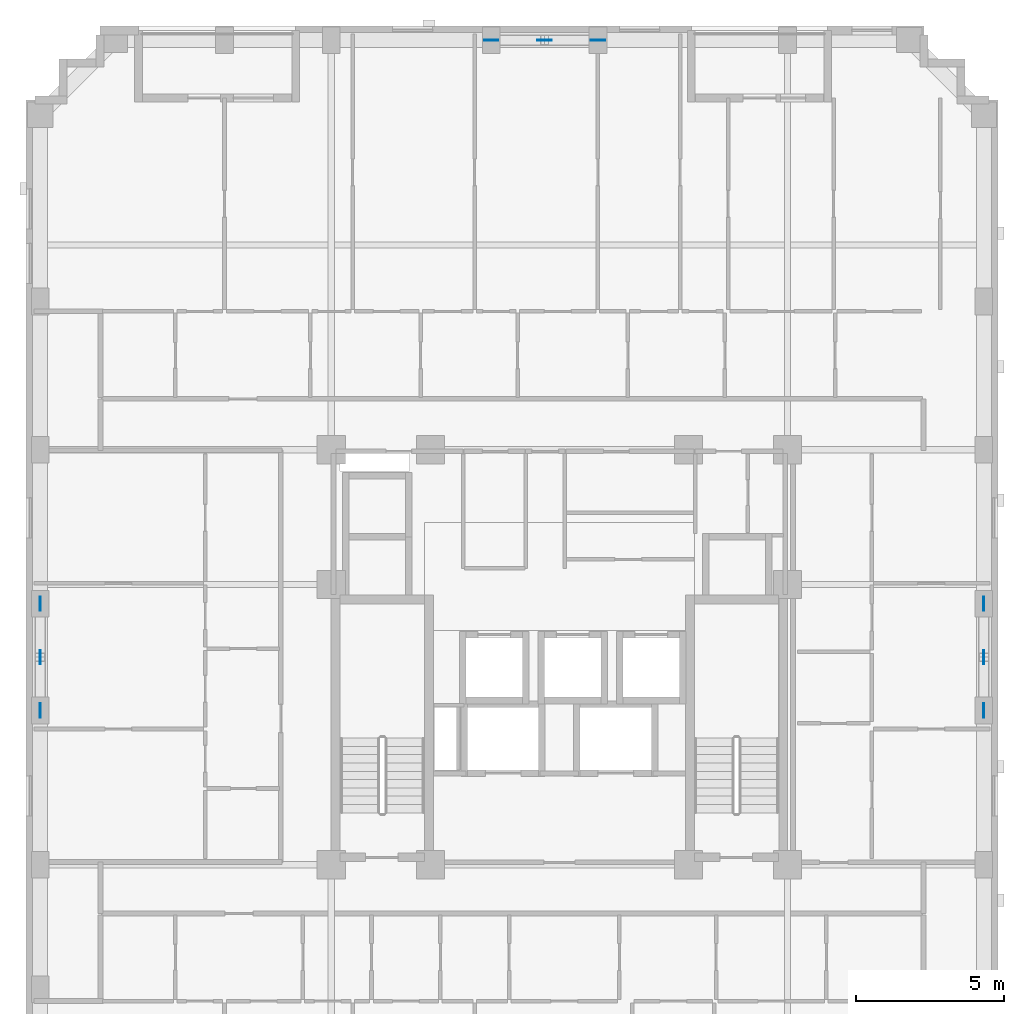
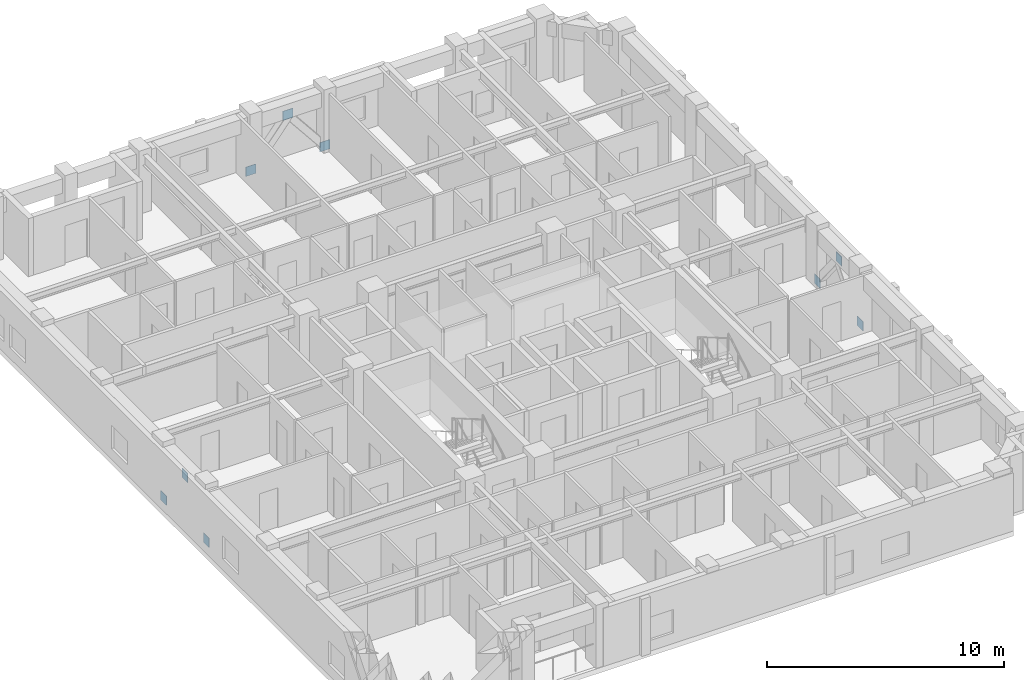
# One storey, part 9 of 11: 9 discrete accessories.
"""IFC4 building model written with IfcOpenShell, lengths in metres."""

from ifc_helpers import new_model, si_unit, derived_unit, direction, frame, origin, origin_2d, place, context, subcontext, project, spatial, rectangle, extrude, material, layer, layer_set, type_object, element, save


model = new_model("IFC4")

# Units and contexts
model_context = context("Model", 3, precision=1e-05, world=origin(), true_north=direction((0.0, 1.0)))
body_context = subcontext(model_context, "Body", "Model", "MODEL_VIEW")
ifc_project = project(units=[si_unit("LENGTHUNIT", "METRE"), si_unit("AREAUNIT", "SQUARE_METRE"), si_unit("VOLUMEUNIT", "CUBIC_METRE"), si_unit("PLANEANGLEUNIT", "RADIAN"), si_unit("MASSUNIT", "GRAM", prefix="KILO"), derived_unit("THERMALTRANSMITTANCEUNIT", [(si_unit("MASSUNIT", "GRAM", prefix="KILO"), 1), (si_unit("TIMEUNIT", "SECOND"), -3), (si_unit("THERMODYNAMICTEMPERATUREUNIT", "KELVIN"), -1)])], contexts=[model_context])

# Site, building, storey
site_placement = place(None, origin())
site = spatial("IfcSite", under=ifc_project, at=site_placement, CompositionType="ELEMENT")
building_placement = place(site_placement, origin())
building = spatial("IfcBuilding", under=site, at=building_placement, Name="Korrvale Station Residences", CompositionType="ELEMENT")
storey_placement = place(building_placement, frame((0.0, 0.0, 153.64990234375)))
storey = spatial("IfcBuildingStorey", under=building, at=storey_placement, Name="L44", CompositionType="ELEMENT", Elevation=153.64990234375)

# Discrete accessories
ifc_material = material(Name="Steel S355", Category="steel")
ifc_layer = layer(ifc_material, 0.02490234375, Name="Steel S355")
ifc_layer_set = layer_set([ifc_layer], Name="Steel S355")
discrete_accessory_type = type_object("IfcDiscreteAccessoryType", Name="ACC-GUSSET-25", PredefinedType="BRACKET", material=ifc_layer_set)
for number, where, z_axis, x_axis, name in (
    (1, (23.199951171875, 42.820068359375, -0.219970703125), (0.0, 0.0, 1.0), (1.0, 0.0, 0.0), "L44 N Brace End Gusset Connection A"),
    (2, (26.800048828125, 42.820068359375, -0.219970703125), (0.0, 0.0, 1.0), (1.0, 0.0, 0.0), "L44 N Brace End Gusset Connection B"),
    (3, (25.0, 42.820068359375, 2.02001953125), (0.0, 0.0, 1.0), (1.0, 0.0, 0.0), "L44 N Brace End Gusset Connection M"),
    (4, (7.97998046875, 20.199951171875, -0.219970703125), (0.0, 0.0, 1.0), (0.0, 1.0, 0.0), "L44 W Brace End Gusset Connection A"),
    (5, (7.97998046875, 23.800048828125, -0.219970703125), (0.0, 0.0, 1.0), (0.0, 1.0, 0.0), "L44 W Brace End Gusset Connection B"),
    (6, (7.97998046875, 22.0, 2.02001953125), (0.0, 0.0, 1.0), (0.0, 1.0, 0.0), "L44 W Brace End Gusset Connection M"),
    (7, (39.820068359375, 20.199951171875, -0.219970703125), (0.0, 0.0, 1.0), (0.0, 1.0, 0.0), "L44 E Brace End Gusset Connection A"),
    (8, (39.820068359375, 23.800048828125, -0.219970703125), (0.0, 0.0, 1.0), (0.0, 1.0, 0.0), "L44 E Brace End Gusset Connection B"),
    (9, (39.820068359375, 22.0, 2.02001953125), (0.0, 0.0, 1.0), (0.0, 1.0, 0.0), "L44 E Brace End Gusset Connection M"),
):
    element("IfcDiscreteAccessory", number, at=place(storey_placement, frame(where, z_axis=z_axis, x_axis=x_axis)), inside=storey, type_object=discrete_accessory_type, Name=name, PredefinedType="BRACKET", context=body_context, shape_type="SweptSolid", body=[
        extrude(rectangle(XDim=0.47998046875, YDim=0.02490234375, at=origin_2d()), origin(), (0.0, 0.0, 1.0), 0.47998046875),
    ])

save(model, "model.ifc")
